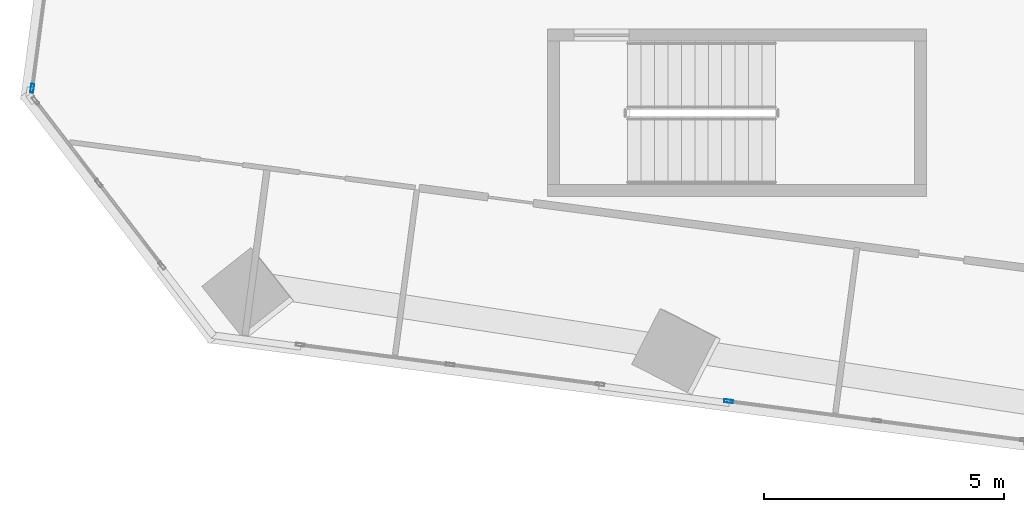
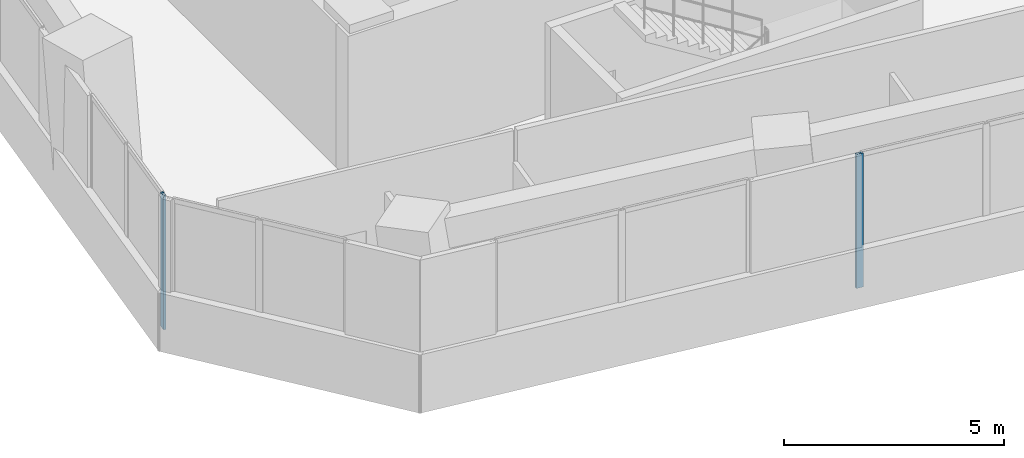
# One storey, part 3 of 24: 2 members, 2 elements without a shape of their own.
"""IFC4 building model written with IfcOpenShell, lengths in metres."""

from ifc_helpers import new_model, si_unit, direction, frame, origin, origin_2d, place, context, subcontext, project, spatial, hollow_rectangle, extrude, source, transform, mapped, material, material_profile, profile_set, type_object, element, aggregate, save


model = new_model("IFC4")

# Units and contexts
model_context = context("Model", 3, precision=1e-05, world=origin(), true_north=direction((0.0, 1.0)))
body_context = subcontext(model_context, "Body", "Model", "MODEL_VIEW")
ifc_project = project(units=[si_unit("LENGTHUNIT", "METRE"), si_unit("AREAUNIT", "SQUARE_METRE"), si_unit("VOLUMEUNIT", "CUBIC_METRE"), si_unit("PLANEANGLEUNIT", "RADIAN"), si_unit("MASSUNIT", "GRAM", prefix="KILO")], contexts=[model_context])

# Site, building, storey
site_placement = place(None, origin())
site = spatial("IfcSite", under=ifc_project, at=site_placement, CompositionType="ELEMENT")
building_placement = place(site_placement, origin())
building = spatial("IfcBuilding", under=site, at=building_placement, Name="Torre Montelarca", CompositionType="ELEMENT")
storey_placement = place(building_placement, frame((0.0, 0.0, 66.39990234375)))
storey = spatial("IfcBuildingStorey", under=building, at=storey_placement, Name="L14", CompositionType="ELEMENT", Elevation=66.39990234375)

# Curtain wall, member
ifc_material_1 = material(Name="Insulated low-E laminated glass", Category="glass")
curtain_wall_type = type_object("IfcCurtainWallType", Name="CW-SYS-Z1", PredefinedType="USERDEFINED", material=ifc_material_1)
curtain_wall_1_placement = place(storey_placement, origin())
curtain_wall_1 = element("IfcCurtainWall", 1, at=curtain_wall_1_placement, inside=storey, type_object=curtain_wall_type, Name="L14 Curtain Wall Run CW-T3-L14-E01-B2", ObjectType="UNITISED GLAZING", PredefinedType="USERDEFINED")
ifc_material_2 = material(Name="Anodised aluminium AA 6063-T6", Category="aluminium")
ifc_material_profile = material_profile(ifc_material_2, hollow_rectangle(XDim=0.06494140625, YDim=0.179931640625, WallThickness=0.00390625, InnerFilletRadius=0.00390625, OuterFilletRadius=0.008056640625, at=origin_2d()), Name="ALU65X180X4", Category="aluminium")
ifc_profile_set = profile_set([ifc_material_profile], Name="Anodised aluminium AA 6063-T6")
member_type = type_object("IfcMemberType", Name="CWM-ALU180", PredefinedType="MULLION", material=ifc_profile_set)
shared_shape = source(origin(), body_context, "Body", "SweptSolid", [
    extrude(hollow_rectangle(XDim=0.06494140625, YDim=0.179931640625, WallThickness=0.00390625, InnerFilletRadius=0.00390625, OuterFilletRadius=0.008056640625, at=origin_2d()), origin(), (0.0, 0.0, 1.0), 3.72021484375),
])
member_1_placement = place(storey_placement, frame((16.823974609375, 14.3896484375, 0.0), z_axis=(0.0, 0.0, 1.0), x_axis=(0.130508399765, 0.991447203633, 0.0)))
member_1 = element("IfcMember", 2, at=member_1_placement, type_object=member_type, Name="CW mullion 1", PredefinedType="MULLION", context=body_context, shape_type="MappedRepresentation", body=[
    mapped(shared_shape, transform((0.0, 0.0, 0.0), scale=1.0)),
])
aggregate(curtain_wall_1, [member_1])

curtain_wall_2_placement = place(storey_placement, origin())
curtain_wall_2 = element("IfcCurtainWall", 3, at=curtain_wall_2_placement, inside=storey, type_object=curtain_wall_type, Name="L14 Curtain Wall Run CW-T3-L14-E10-B3", ObjectType="UNITISED GLAZING", PredefinedType="USERDEFINED")
member_2_placement = place(storey_placement, frame((2.318115234375, 20.9072265625, 0.0), z_axis=(0.0, 0.0, 1.0), x_axis=(0.991447218206, -0.130508289054, 0.0)))
member_2 = element("IfcMember", 4, at=member_2_placement, type_object=member_type, Name="CW mullion 3", PredefinedType="MULLION", context=body_context, shape_type="MappedRepresentation", body=[
    mapped(shared_shape, transform((0.0, 0.0, 0.0), scale=1.0)),
])
aggregate(curtain_wall_2, [member_2])

save(model, "model.ifc")
